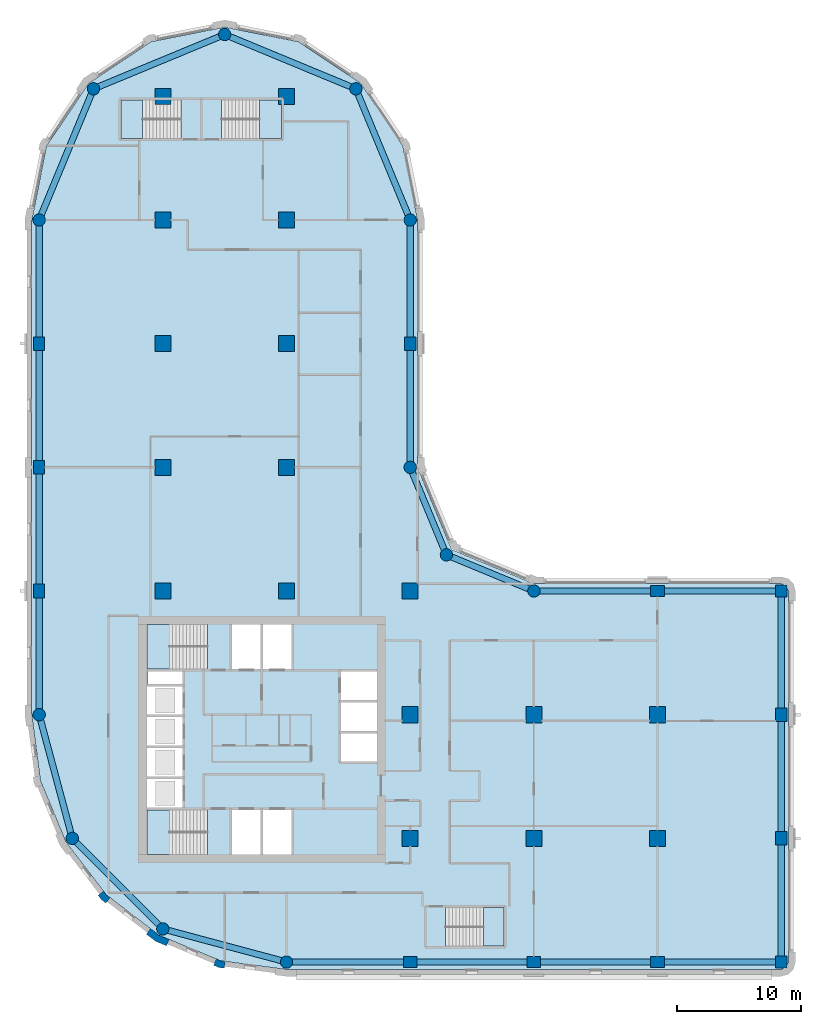
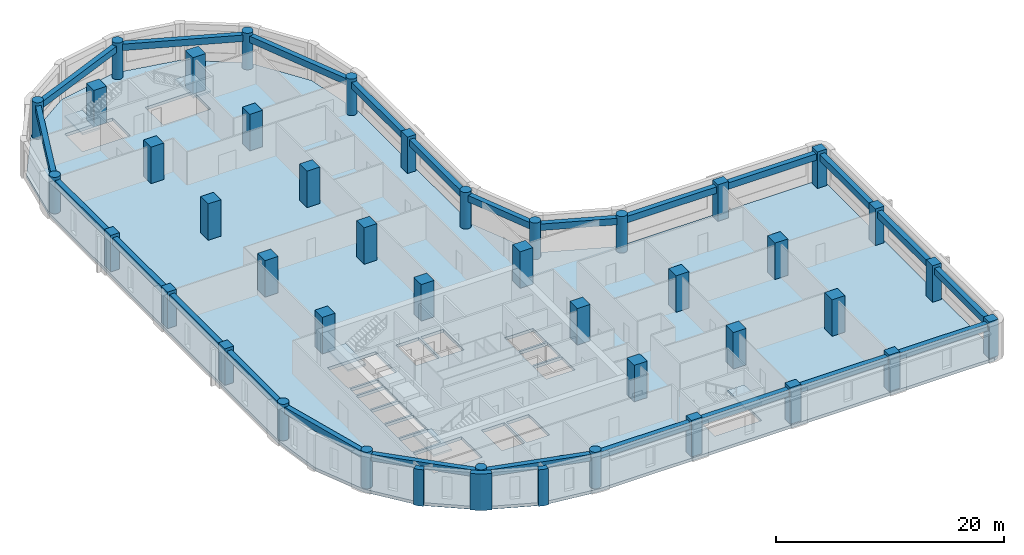
# One storey, part 1 of 9: 41 columns, 24 beams, 6 slabs, 3 walls, 5 elements without a shape of their own.
"""IFC4 building model written with IfcOpenShell, lengths in metres."""

from ifc_helpers import new_model, si_unit, direction, frame, origin, origin_2d, place, context, subcontext, project, spatial, polyline, rectangle, circle, outline, extrude, material, layer, layer_set, material_profile, profile_set, type_object, element, aggregate, save


model = new_model("IFC4")

# Units and contexts
model_context = context("Model", 3, precision=1e-05, world=origin(), true_north=direction((0.0, 1.0)))
body_context = subcontext(model_context, "Body", "Model", "MODEL_VIEW")
ifc_project = project(units=[si_unit("LENGTHUNIT", "METRE"), si_unit("AREAUNIT", "SQUARE_METRE"), si_unit("VOLUMEUNIT", "CUBIC_METRE"), si_unit("PLANEANGLEUNIT", "RADIAN"), si_unit("MASSUNIT", "GRAM", prefix="KILO")], contexts=[model_context])

# Site, building, storey
site_placement = place(None, origin())
site = spatial("IfcSite", under=ifc_project, at=site_placement, CompositionType="ELEMENT")
building_placement = place(site_placement, origin())
building = spatial("IfcBuilding", under=site, at=building_placement, Name="Qaws Garden Tower", CompositionType="ELEMENT")
storey_placement = place(building_placement, frame((0.0, 0.0, 155.10009765625)))
storey = spatial("IfcBuildingStorey", under=building, at=storey_placement, Name="L37", CompositionType="ELEMENT", Elevation=155.10009765625)

# Columns
ifc_material_1 = material(Name="Concrete C70", Category="concrete")
ifc_material_profile_1 = material_profile(ifc_material_1, rectangle(XDim=1.10009765625, YDim=0.89990234375, at=origin_2d()), Name="RC 1100x900")
ifc_profile_set_1 = profile_set([ifc_material_profile_1], Name="Concrete C70")
column_type_1 = type_object("IfcColumnType", Name="Column RC 1100x900 C70", PredefinedType="COLUMN", material=ifc_profile_set_1)
for number, where, z_axis, x_axis, name in (
    (1, (30.0, 0.0, 0.0), (0.0, 0.0, 1.0), (1.0, 0.0, 0.0), "Column L37-002"),
    (2, (40.0, 0.0, 0.0), (0.0, 0.0, 1.0), (1.0, 0.0, 0.0), "Column L37-003"),
    (3, (50.0, 0.0, 0.0), (0.0, 0.0, 1.0), (1.0, 0.0, 0.0), "Column L37-004"),
    (4, (60.0, 10.0, 0.0), (0.0, 0.0, 1.0), (0.0, 1.0, 0.0), "Column L37-006"),
    (5, (60.0, 20.0, 0.0), (0.0, 0.0, 1.0), (0.0, 1.0, 0.0), "Column L37-007"),
    (6, (50.0, 30.0, 0.0), (0.0, 0.0, 1.0), (1.0, 0.0, 0.0), "Column L37-009"),
    (7, (30.0, 50.0, 0.0), (0.0, 0.0, 1.0), (0.0, 1.0, 0.0), "Column L37-013"),
    (8, (0.0, 50.0, 0.0), (0.0, 0.0, 1.0), (0.0, 1.0, 0.0), "Column L37-019"),
    (9, (0.0, 40.0, 0.0), (0.0, 0.0, 1.0), (0.0, 1.0, 0.0), "Column L37-020"),
    (10, (0.0, 30.0, 0.0), (0.0, 0.0, 1.0), (0.0, 1.0, 0.0), "Column L37-021"),
):
    element("IfcColumn", number, at=place(storey_placement, frame(where, z_axis=z_axis, x_axis=x_axis)), inside=storey, type_object=column_type_1, Name=name, PredefinedType="COLUMN", context=body_context, shape_type="SweptSolid", body=[
        extrude(rectangle(XDim=1.10009765625, YDim=0.89990234375, at=origin_2d()), origin(), (0.0, 0.0, 1.0), 3.89990234375),
    ])
ifc_material_2 = material(Name="Concrete C70", Category="concrete")
ifc_material_profile_2 = material_profile(ifc_material_2, rectangle(XDim=1.300048828125, YDim=1.300048828125, at=origin_2d()), Name="RC 1300x1300")
ifc_profile_set_2 = profile_set([ifc_material_profile_2], Name="Concrete C70")
column_type_2 = type_object("IfcColumnType", Name="Column RC 1300x1300 C70", PredefinedType="COLUMN", material=ifc_profile_set_2)
for number, where, z_axis, x_axis, name in (
    (11, (10.0, 30.0, 0.0), (0.0, 0.0, 1.0), (1.0, 0.0, 0.0), "Column L37-025"),
    (12, (10.0, 40.0, 0.0), (0.0, 0.0, 1.0), (1.0, 0.0, 0.0), "Column L37-026"),
    (13, (10.0, 50.0, 0.0), (0.0, 0.0, 1.0), (1.0, 0.0, 0.0), "Column L37-027"),
    (14, (10.0, 60.0, 0.0), (0.0, 0.0, 1.0), (1.0, 0.0, 0.0), "Column L37-028"),
    (15, (10.0, 70.0, 0.0), (0.0, 0.0, 1.0), (1.0, 0.0, 0.0), "Column L37-029"),
    (16, (20.0, 30.0, 0.0), (0.0, 0.0, 1.0), (1.0, 0.0, 0.0), "Column L37-030"),
    (17, (20.0, 40.0, 0.0), (0.0, 0.0, 1.0), (1.0, 0.0, 0.0), "Column L37-031"),
    (18, (20.0, 50.0, 0.0), (0.0, 0.0, 1.0), (1.0, 0.0, 0.0), "Column L37-032"),
    (19, (20.0, 60.0, 0.0), (0.0, 0.0, 1.0), (1.0, 0.0, 0.0), "Column L37-033"),
    (20, (20.0, 70.0, 0.0), (0.0, 0.0, 1.0), (1.0, 0.0, 0.0), "Column L37-034"),
    (21, (30.0, 10.0, 0.0), (0.0, 0.0, 1.0), (1.0, 0.0, 0.0), "Column L37-035"),
    (22, (30.0, 20.0, 0.0), (0.0, 0.0, 1.0), (1.0, 0.0, 0.0), "Column L37-036"),
    (23, (30.0, 30.0, 0.0), (0.0, 0.0, 1.0), (1.0, 0.0, 0.0), "Column L37-037"),
    (24, (40.0, 10.0, 0.0), (0.0, 0.0, 1.0), (1.0, 0.0, 0.0), "Column L37-038"),
    (25, (40.0, 20.0, 0.0), (0.0, 0.0, 1.0), (1.0, 0.0, 0.0), "Column L37-039"),
    (26, (50.0, 10.0, 0.0), (0.0, 0.0, 1.0), (1.0, 0.0, 0.0), "Column L37-040"),
    (27, (50.0, 20.0, 0.0), (0.0, 0.0, 1.0), (1.0, 0.0, 0.0), "Column L37-041"),
):
    element("IfcColumn", number, at=place(storey_placement, frame(where, z_axis=z_axis, x_axis=x_axis)), inside=storey, type_object=column_type_2, Name=name, PredefinedType="COLUMN", context=body_context, shape_type="SweptSolid", body=[
        extrude(rectangle(XDim=1.300048828125, YDim=1.300048828125, at=origin_2d()), origin(), (0.0, 0.0, 1.0), 3.89990234375),
    ])
ifc_material_3 = material(Name="Concrete C70", Category="concrete")
ifc_material_profile_3 = material_profile(ifc_material_3, rectangle(XDim=0.949951171875, YDim=0.949951171875, at=origin_2d()), Name="RC 950x950")
ifc_profile_set_3 = profile_set([ifc_material_profile_3], Name="Concrete C70")
column_type_3 = type_object("IfcColumnType", Name="Column RC 950x950 C70", PredefinedType="COLUMN", material=ifc_profile_set_3)
for number, where, z_axis, x_axis, name in (
    (28, (60.0, 0.0, 0.0), (0.0, 0.0, 1.0), (1.0, 0.0, 0.0), "Column L37-005"),
    (29, (60.0, 30.0, 0.0), (0.0, 0.0, 1.0), (1.0, 0.0, 0.0), "Column L37-008"),
):
    element("IfcColumn", number, at=place(storey_placement, frame(where, z_axis=z_axis, x_axis=x_axis)), inside=storey, type_object=column_type_3, Name=name, PredefinedType="COLUMN", context=body_context, shape_type="SweptSolid", body=[
        extrude(rectangle(XDim=0.949951171875, YDim=0.949951171875, at=origin_2d()), origin(), (0.0, 0.0, 1.0), 3.89990234375),
    ])
ifc_material_4 = material(Name="Concrete C70", Category="concrete")
ifc_material_profile_4 = material_profile(ifc_material_4, circle(Radius=0.5, at=origin_2d()), Name="RC D1000")
ifc_profile_set_4 = profile_set([ifc_material_profile_4], Name="Concrete C70")
column_type_4 = type_object("IfcColumnType", Name="Column RC D1000 C70", PredefinedType="COLUMN", material=ifc_profile_set_4)
for number, where, z_axis, x_axis, name in (
    (30, (20.0, 0.0, 0.0), (0.0, 0.0, 1.0), (1.0, 0.0, 0.0), "Column L37-001"),
    (31, (40.0, 30.0, 0.0), (0.0, 0.0, 1.0), (1.0, 0.0, 0.0), "Column L37-010"),
    (32, (32.928955078125, 32.928955078125, 0.0), (0.0, 0.0, 1.0), (1.0, 0.0, 0.0), "Column L37-011"),
    (33, (30.0, 40.0, 0.0), (0.0, 0.0, 1.0), (1.0, 0.0, 0.0), "Column L37-012"),
    (34, (30.0, 60.0, 0.0), (0.0, 0.0, 1.0), (1.0, 0.0, 0.0), "Column L37-014"),
    (35, (25.606689453125, 70.606689453125, 0.0), (0.0, 0.0, 1.0), (1.0, 0.0, 0.0), "Column L37-015"),
    (36, (15.0, 75.0, 0.0), (0.0, 0.0, 1.0), (1.0, 0.0, 0.0), "Column L37-016"),
    (37, (4.393310546875, 70.606689453125, 0.0), (0.0, 0.0, 1.0), (1.0, 0.0, 0.0), "Column L37-017"),
    (38, (0.0, 60.0, 0.0), (0.0, 0.0, 1.0), (1.0, 0.0, 0.0), "Column L37-018"),
    (39, (0.0, 20.0, 0.0), (0.0, 0.0, 1.0), (1.0, 0.0, 0.0), "Column L37-022"),
    (40, (2.679443359375, 10.0, 0.0), (0.0, 0.0, 1.0), (1.0, 0.0, 0.0), "Column L37-023"),
    (41, (10.0, 2.679443359375, 0.0), (0.0, 0.0, 1.0), (1.0, 0.0, 0.0), "Column L37-024"),
):
    element("IfcColumn", number, at=place(storey_placement, frame(where, z_axis=z_axis, x_axis=x_axis)), inside=storey, type_object=column_type_4, Name=name, PredefinedType="COLUMN", context=body_context, shape_type="SweptSolid", body=[
        extrude(circle(Radius=0.5, at=origin_2d()), origin(), (0.0, 0.0, 1.0), 3.89990234375),
    ])

# Beams
ifc_material_5 = material(Name="Concrete C45", Category="concrete")
ifc_material_profile_5 = material_profile(ifc_material_5, rectangle(XDim=0.5, YDim=0.699951171875, at=origin_2d()), Name="RC 500x700")
ifc_profile_set_5 = profile_set([ifc_material_profile_5], Name="Concrete C45")
beam_type = type_object("IfcBeamType", Name="Spandrel beam RC 500x700 C45", PredefinedType="SPANDREL", material=ifc_profile_set_5)
for number, where, z_axis, x_axis, name in (
    (42, (20.0, 0.0, 3.22998046875), (1.0, 0.0, 0.0), (0.0, 1.0, 0.0), "Spandrel beam L37-001"),
    (43, (30.0, 0.0, 3.22998046875), (1.0, 0.0, 0.0), (0.0, 1.0, 0.0), "Spandrel beam L37-002"),
    (44, (40.0, 0.0, 3.22998046875), (1.0, 0.0, 0.0), (0.0, 1.0, 0.0), "Spandrel beam L37-003"),
    (45, (50.0, 0.0, 3.22998046875), (1.0, 0.0, 0.0), (0.0, 1.0, 0.0), "Spandrel beam L37-004"),
    (46, (60.0, 0.0, 3.22998046875), (0.0, 1.0, 0.0), (-1.0, 0.0, 0.0), "Spandrel beam L37-005"),
    (47, (60.0, 10.0, 3.22998046875), (0.0, 1.0, 0.0), (-1.0, 0.0, 0.0), "Spandrel beam L37-006"),
    (48, (60.0, 20.0, 3.22998046875), (0.0, 1.0, 0.0), (-1.0, 0.0, 0.0), "Spandrel beam L37-007"),
    (49, (60.0, 30.0, 3.22998046875), (-1.0, 0.0, 0.0), (0.0, -1.0, 0.0), "Spandrel beam L37-008"),
    (50, (50.0, 30.0, 3.22998046875), (-1.0, 0.0, 0.0), (0.0, -1.0, 0.0), "Spandrel beam L37-009"),
):
    element("IfcBeam", number, at=place(storey_placement, frame(where, z_axis=z_axis, x_axis=x_axis)), inside=storey, type_object=beam_type, Name=name, PredefinedType="SPANDREL", context=body_context, shape_type="SweptSolid", body=[
        extrude(rectangle(XDim=0.5, YDim=0.699951171875, at=origin_2d()), origin(), (0.0, 0.0, 1.0), 10.0),
    ])
for number, where, z_axis, x_axis, name in (
    (51, (40.0, 30.0, 3.22998046875), (-0.923878037141, 0.382687042488, 0.0), (-0.382687042488, -0.923878037141, 0.0), "Spandrel beam L37-010"),
    (52, (32.928955078125, 32.928955078125, 3.22998046875), (-0.382687042488, 0.923878037141, 0.0), (-0.923878037141, -0.382687042488, 0.0), "Spandrel beam L37-011"),
):
    element("IfcBeam", number, at=place(storey_placement, frame(where, z_axis=z_axis, x_axis=x_axis)), inside=storey, type_object=beam_type, Name=name, PredefinedType="SPANDREL", context=body_context, shape_type="SweptSolid", body=[
        extrude(rectangle(XDim=0.5, YDim=0.699951171875, at=origin_2d()), origin(), (0.0, 0.0, 1.0), 7.653564453125),
    ])
for number, where, z_axis, x_axis, name in (
    (53, (30.0, 40.0, 3.22998046875), (0.0, 1.0, 0.0), (-1.0, 0.0, 0.0), "Spandrel beam L37-012"),
    (54, (30.0, 50.0, 3.22998046875), (0.0, 1.0, 0.0), (-1.0, 0.0, 0.0), "Spandrel beam L37-013"),
):
    element("IfcBeam", number, at=place(storey_placement, frame(where, z_axis=z_axis, x_axis=x_axis)), inside=storey, type_object=beam_type, Name=name, PredefinedType="SPANDREL", context=body_context, shape_type="SweptSolid", body=[
        extrude(rectangle(XDim=0.5, YDim=0.699951171875, at=origin_2d()), origin(), (0.0, 0.0, 1.0), 10.0),
    ])
for number, where, z_axis, x_axis, name in (
    (55, (30.0, 60.0, 3.22998046875), (-0.382674207535, 0.923883353507, 0.0), (-0.923883353507, -0.382674207535, 0.0), "Spandrel beam L37-014"),
    (56, (25.606689453125, 70.606689453125, 3.22998046875), (-0.923883353507, 0.382674207535, 0.0), (-0.382674207535, -0.923883353507, 0.0), "Spandrel beam L37-015"),
    (57, (15.0, 75.0, 3.22998046875), (-0.923883353507, -0.382674207535, 0.0), (0.382674207535, -0.923883353507, 0.0), "Spandrel beam L37-016"),
    (58, (4.393310546875, 70.606689453125, 3.22998046875), (-0.382674207535, -0.923883353507, 0.0), (0.923883353507, -0.382674207535, 0.0), "Spandrel beam L37-017"),
):
    element("IfcBeam", number, at=place(storey_placement, frame(where, z_axis=z_axis, x_axis=x_axis)), inside=storey, type_object=beam_type, Name=name, PredefinedType="SPANDREL", context=body_context, shape_type="SweptSolid", body=[
        extrude(rectangle(XDim=0.5, YDim=0.699951171875, at=origin_2d()), origin(), (0.0, 0.0, 1.0), 11.48046875),
    ])
for number, where, z_axis, x_axis, name in (
    (59, (0.0, 60.0, 3.22998046875), (0.0, -1.0, 0.0), (1.0, 0.0, 0.0), "Spandrel beam L37-018"),
    (60, (0.0, 50.0, 3.22998046875), (0.0, -1.0, 0.0), (1.0, 0.0, 0.0), "Spandrel beam L37-019"),
    (61, (0.0, 40.0, 3.22998046875), (0.0, -1.0, 0.0), (1.0, 0.0, 0.0), "Spandrel beam L37-020"),
    (62, (0.0, 30.0, 3.22998046875), (0.0, -1.0, 0.0), (1.0, 0.0, 0.0), "Spandrel beam L37-021"),
):
    element("IfcBeam", number, at=place(storey_placement, frame(where, z_axis=z_axis, x_axis=x_axis)), inside=storey, type_object=beam_type, Name=name, PredefinedType="SPANDREL", context=body_context, shape_type="SweptSolid", body=[
        extrude(rectangle(XDim=0.5, YDim=0.699951171875, at=origin_2d()), origin(), (0.0, 0.0, 1.0), 10.0),
    ])
for number, where, z_axis, x_axis, name in (
    (63, (0.0, 20.0, 3.22998046875), (0.25881466832, -0.965926999034, 0.0), (0.965926999034, 0.25881466832, 0.0), "Spandrel beam L37-022"),
    (64, (2.679443359375, 10.0, 3.22998046875), (0.707106781187, -0.707106781187, 0.0), (0.707106781187, 0.707106781187, 0.0), "Spandrel beam L37-023"),
    (65, (10.0, 2.679443359375, 3.22998046875), (0.965926999034, -0.25881466832, 0.0), (0.25881466832, 0.965926999034, 0.0), "Spandrel beam L37-024"),
):
    element("IfcBeam", number, at=place(storey_placement, frame(where, z_axis=z_axis, x_axis=x_axis)), inside=storey, type_object=beam_type, Name=name, PredefinedType="SPANDREL", context=body_context, shape_type="SweptSolid", body=[
        extrude(rectangle(XDim=0.5, YDim=0.699951171875, at=origin_2d()), origin(), (0.0, 0.0, 1.0), 10.352783203125),
    ])

# Slab
ifc_material_6 = material(Name="Concrete C40", Category="concrete")
ifc_layer_1 = layer(ifc_material_6, 0.320068359375)
ifc_layer_set_1 = layer_set([ifc_layer_1], Name="Concrete C40")
slab_type_1 = type_object("IfcSlabType", Name="Floor slab 320 C40", PredefinedType="FLOOR", material=ifc_layer_set_1)
slab_1_placement = place(storey_placement, frame((0.0, 0.0, -0.320068359375)))
element("IfcSlab", 66, at=slab_1_placement, inside=storey, type_object=slab_type_1, Name="Floor slab L37", PredefinedType="FLOOR", context=body_context, shape_type="SweptSolid", body=[
    extrude(outline(polyline([(0.101806640625, 14.668212890625), (-0.60009765625, 20.0), (-0.60009765625, 30.60009765625), (-0.60009765625, 60.0), (-0.60009765625, 60.0), (0.58740234375, 65.969970703125), (3.968994140625, 71.031005859375), (9.030029296875, 74.41259765625), (15.0, 75.60009765625), (20.969970703125, 74.41259765625), (26.031005859375, 71.031005859375), (29.41259765625, 65.969970703125), (30.60009765625, 60.0), (30.60009765625, 40.0), (33.353271484375, 33.353271484375), (40.0, 30.60009765625), (60.0, 30.60009765625), (60.42431640625, 30.42431640625), (60.60009765625, 30.0), (60.60009765625, 0.0), (60.42431640625, -0.42431640625), (60.0, -0.60009765625), (30.60009765625, -0.60009765625), (20.0, -0.60009765625), (14.668212890625, 0.101806640625), (9.699951171875, 2.159912109375), (5.43359375, 5.43359375), (2.159912109375, 9.699951171875), (0.101806640625, 14.668212890625)]), holes=[polyline([(13.599609375, 12.300048828125), (8.699951171875, 12.300048828125), (8.699951171875, 8.699951171875), (13.599609375, 8.699951171875), (13.599609375, 12.300048828125)]), polyline([(17.89990234375, 12.300048828125), (15.60009765625, 12.300048828125), (15.60009765625, 8.699951171875), (17.89990234375, 8.699951171875), (17.89990234375, 12.300048828125)]), polyline([(11.60009765625, 14.800048828125), (8.699951171875, 14.800048828125), (8.699951171875, 12.5), (11.60009765625, 12.5), (11.60009765625, 14.800048828125)]), polyline([(11.60009765625, 17.300048828125), (8.699951171875, 17.300048828125), (8.699951171875, 15.0), (11.60009765625, 15.0), (11.60009765625, 17.300048828125)]), polyline([(11.60009765625, 19.800048828125), (8.699951171875, 19.800048828125), (8.699951171875, 17.5), (11.60009765625, 17.5), (11.60009765625, 19.800048828125)]), polyline([(11.60009765625, 22.300048828125), (8.699951171875, 22.300048828125), (8.699951171875, 20.0), (11.60009765625, 20.0), (11.60009765625, 22.300048828125)]), polyline([(11.60009765625, 23.5), (8.800048828125, 23.5), (8.800048828125, 22.5), (11.60009765625, 22.5), (11.60009765625, 23.5)]), polyline([(13.599609375, 27.300048828125), (8.699951171875, 27.300048828125), (8.699951171875, 23.699951171875), (13.599609375, 23.699951171875), (13.599609375, 27.300048828125)]), polyline([(11.449462890625, 69.699951171875), (6.60009765625, 69.699951171875), (6.60009765625, 66.60009765625), (11.449462890625, 66.60009765625), (11.449462890625, 69.699951171875)]), polyline([(37.60009765625, 4.39990234375), (32.8505859375, 4.39990234375), (32.8505859375, 1.300048828125), (37.60009765625, 1.300048828125), (37.60009765625, 4.39990234375)]), polyline([(20.39990234375, 12.300048828125), (18.10009765625, 12.300048828125), (18.10009765625, 8.699951171875), (20.39990234375, 8.699951171875), (20.39990234375, 12.300048828125)]), polyline([(27.300048828125, 18.5), (24.39990234375, 18.5), (24.39990234375, 16.199951171875), (27.300048828125, 16.199951171875), (27.300048828125, 18.5)]), polyline([(27.300048828125, 21.0), (24.39990234375, 21.0), (24.39990234375, 18.699951171875), (27.300048828125, 18.699951171875), (27.300048828125, 21.0)]), polyline([(27.300048828125, 23.5), (24.39990234375, 23.5), (24.39990234375, 21.199951171875), (27.300048828125, 21.199951171875), (27.300048828125, 23.5)]), polyline([(17.89990234375, 27.300048828125), (15.60009765625, 27.300048828125), (15.60009765625, 23.699951171875), (17.89990234375, 23.699951171875), (17.89990234375, 27.300048828125)]), polyline([(20.39990234375, 23.699951171875), (20.39990234375, 27.300048828125), (18.10009765625, 27.300048828125), (18.10009765625, 23.699951171875), (20.39990234375, 23.699951171875)]), polyline([(19.60009765625, 66.60009765625), (19.60009765625, 69.699951171875), (14.75048828125, 69.699951171875), (14.75048828125, 66.60009765625), (19.60009765625, 66.60009765625)])]), origin(), (0.0, 0.0, 1.0), 0.320068359375),
])

# Stair, slab
ifc_material_7 = material(Name="Concrete C40", Category="concrete")
stair_type_1 = type_object("IfcStairType", Name="Exit stair 1500", PredefinedType="HALF_TURN_STAIR", material=ifc_material_7)
placement_1 = place(storey_placement, origin())
stair_1 = element("IfcStair", 67, at=placement_1, inside=storey, type_object=stair_type_1, Name="Stair 1", PredefinedType="HALF_TURN_STAIR")
ifc_material_8 = material(Name="Concrete C40", Category="concrete")
ifc_layer_2 = layer(ifc_material_8, 0.199951171875)
ifc_layer_set_2 = layer_set([ifc_layer_2], Name="Concrete C40")
slab_type_2 = type_object("IfcSlabType", Name="Stair landing 200", PredefinedType="LANDING", material=ifc_layer_set_2)
placement_2 = place(storey_placement, frame((0.0, 0.0, 1.75)))
slab_2 = element("IfcSlab", 68, at=placement_2, type_object=slab_type_2, Name="ST1 landing 1", PredefinedType="LANDING", context=body_context, shape_type="SweptSolid", body=[
    extrude(outline(polyline([(8.699951171875, 8.699951171875), (10.52001953125, 8.699951171875), (10.52001953125, 12.300048828125), (8.699951171875, 12.300048828125), (8.699951171875, 8.699951171875)])), origin(), (0.0, 0.0, 1.0), 0.199951171875),
])
aggregate(stair_1, [slab_2])

stair_2 = element("IfcStair", 69, at=placement_1, inside=storey, type_object=stair_type_1, Name="Stair 4", PredefinedType="HALF_TURN_STAIR")
slab_3 = element("IfcSlab", 70, at=placement_2, type_object=slab_type_2, Name="ST4 landing 1", PredefinedType="LANDING", context=body_context, shape_type="SweptSolid", body=[
    extrude(outline(polyline([(8.699951171875, 23.699951171875), (10.52001953125, 23.699951171875), (10.52001953125, 27.300048828125), (8.699951171875, 27.300048828125), (8.699951171875, 23.699951171875)])), origin(), (0.0, 0.0, 1.0), 0.199951171875),
])
aggregate(stair_2, [slab_3])

ifc_material_9 = material(Name="Concrete C40", Category="concrete")
stair_type_2 = type_object("IfcStairType", Name="Exit stair 1350", PredefinedType="HALF_TURN_STAIR", material=ifc_material_9)
stair_3 = element("IfcStair", 71, at=placement_1, inside=storey, type_object=stair_type_2, Name="Stair 5", PredefinedType="HALF_TURN_STAIR")
slab_4 = element("IfcSlab", 72, at=placement_2, type_object=slab_type_2, Name="ST5 landing 1", PredefinedType="LANDING", context=body_context, shape_type="SweptSolid", body=[
    extrude(outline(polyline([(35.929931640625, 1.300048828125), (37.60009765625, 1.300048828125), (37.60009765625, 4.39990234375), (35.929931640625, 4.39990234375), (35.929931640625, 1.300048828125)])), origin(), (0.0, 0.0, 1.0), 0.199951171875),
])
aggregate(stair_3, [slab_4])

stair_4 = element("IfcStair", 73, at=placement_1, inside=storey, type_object=stair_type_2, Name="Stair 6", PredefinedType="HALF_TURN_STAIR")
slab_5 = element("IfcSlab", 74, at=placement_2, type_object=slab_type_2, Name="ST6 landing 1", PredefinedType="LANDING", context=body_context, shape_type="SweptSolid", body=[
    extrude(outline(polyline([(6.60009765625, 66.60009765625), (8.3701171875, 66.60009765625), (8.3701171875, 69.699951171875), (6.60009765625, 69.699951171875), (6.60009765625, 66.60009765625)])), origin(), (0.0, 0.0, 1.0), 0.199951171875),
])
aggregate(stair_4, [slab_5])

stair_5 = element("IfcStair", 75, at=placement_1, inside=storey, type_object=stair_type_2, Name="Stair 7", PredefinedType="HALF_TURN_STAIR")
slab_6 = element("IfcSlab", 76, at=placement_2, type_object=slab_type_2, Name="ST7 landing 1", PredefinedType="LANDING", context=body_context, shape_type="SweptSolid", body=[
    extrude(outline(polyline([(17.830078125, 66.60009765625), (19.60009765625, 66.60009765625), (19.60009765625, 69.699951171875), (17.830078125, 69.699951171875), (17.830078125, 66.60009765625)])), origin(), (0.0, 0.0, 1.0), 0.199951171875),
])
aggregate(stair_5, [slab_6])

# Walls
ifc_material_10 = material(Name="Clay facing brick masonry", Category="masonry")
ifc_layer_3 = layer(ifc_material_10, 0.550048828125)
ifc_layer_set_3 = layer_set([ifc_layer_3], Name="Clay facing brick masonry")
wall_type_1 = type_object("IfcWallType", Name="Brick kink pier 550 x 600", PredefinedType="SOLIDWALL", material=ifc_layer_set_3)
element("IfcWall", 77, at=placement_1, inside=storey, type_object=wall_type_1, Name="E-L37-pier-28", PredefinedType="SOLIDWALL", context=body_context, shape_type="SweptSolid", body=[
    extrude(outline(polyline([(4.8818359375, 5.487060546875), (4.762939453125, 5.395751953125), (5.03759765625, 5.03759765625), (5.395751953125, 4.762939453125), (5.487060546875, 4.8818359375), (5.730712890625, 5.19921875), (5.429931640625, 5.429931640625), (5.19921875, 5.730712890625), (4.8818359375, 5.487060546875)])), origin(), (0.0, 0.0, 1.0), 3.89990234375),
])
element("IfcWall", 78, at=placement_1, inside=storey, type_object=wall_type_1, Name="E-L37-pier-30", PredefinedType="SOLIDWALL", context=body_context, shape_type="SweptSolid", body=[
    extrude(outline(polyline([(14.163818359375, -0.127685546875), (14.1064453125, -0.26611328125), (14.5234375, -0.43896484375), (14.970947265625, -0.497802734375), (14.990478515625, -0.34912109375), (15.042724609375, 0.04736328125), (14.6669921875, 0.096923828125), (14.31689453125, 0.241943359375), (14.163818359375, -0.127685546875)])), origin(), (0.0, 0.0, 1.0), 3.89990234375),
])
ifc_material_11 = material(Name="Clay facing brick masonry", Category="masonry")
ifc_layer_4 = layer(ifc_material_11, 0.550048828125)
ifc_layer_set_4 = layer_set([ifc_layer_4], Name="Clay facing brick masonry")
wall_type_2 = type_object("IfcWallType", Name="Brick pier 550 x 1600", PredefinedType="SOLIDWALL", material=ifc_layer_set_4)
element("IfcWall", 79, at=placement_1, inside=storey, type_object=wall_type_2, Name="E-L37-pier-29", PredefinedType="SOLIDWALL", context=body_context, shape_type="SweptSolid", body=[
    extrude(outline(polyline([(8.756591796875, 2.373046875), (8.665283203125, 2.254150390625), (9.419921875, 1.675048828125), (10.299072265625, 1.310791015625), (10.3564453125, 1.449462890625), (10.509521484375, 1.819091796875), (9.697509765625, 2.1552734375), (9.0, 2.6904296875), (8.756591796875, 2.373046875)])), origin(), (0.0, 0.0, 1.0), 3.89990234375),
])

save(model, "model.ifc")
